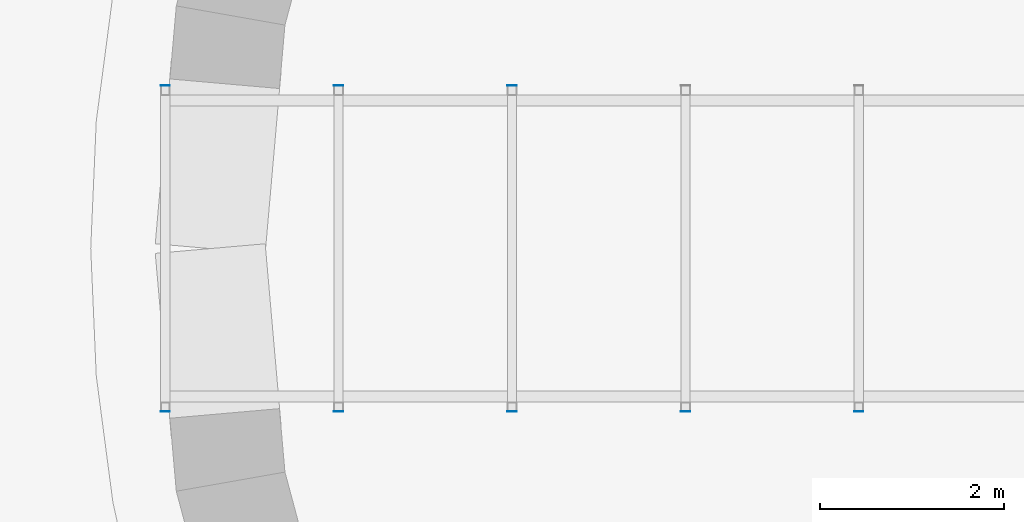
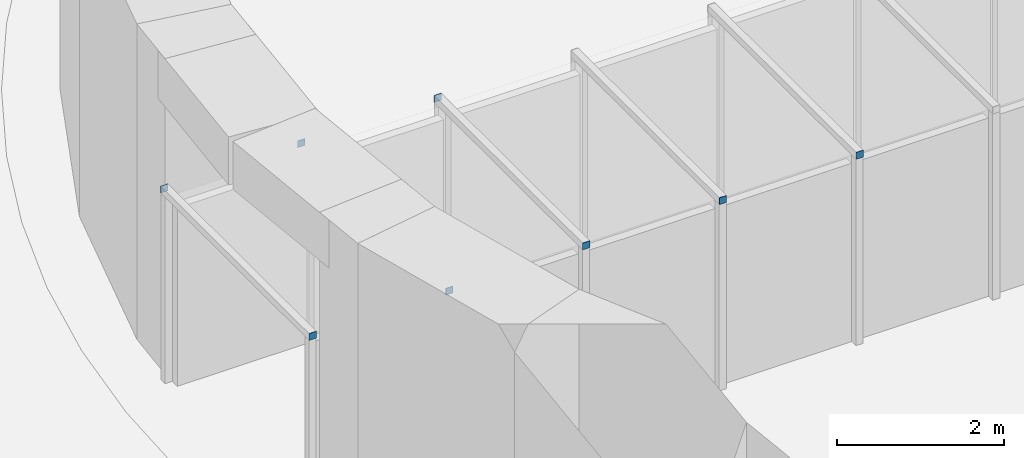
# One storey, part 38 of 85: 8 plates, 1 element without a shape of its own.
"""IFC4 building model written with IfcOpenShell, lengths in metres."""

from ifc_helpers import new_model, si_unit, direction, frame, origin, origin_2d, place, context, subcontext, project, spatial, rectangle, extrude, material, layer, layer_set, type_object, element, aggregate, save


model = new_model("IFC4")

# Units and contexts
model_context = context("Model", 3, precision=1e-05, world=origin(), true_north=direction((0.0, 1.0)))
body_context = subcontext(model_context, "Body", "Model", "MODEL_VIEW")
ifc_project = project(units=[si_unit("LENGTHUNIT", "METRE"), si_unit("AREAUNIT", "SQUARE_METRE"), si_unit("VOLUMEUNIT", "CUBIC_METRE"), si_unit("PLANEANGLEUNIT", "RADIAN"), si_unit("MASSUNIT", "GRAM", prefix="KILO")], contexts=[model_context])

# Site, building, storey
site_placement = place(None, origin())
site = spatial("IfcSite", under=ifc_project, at=site_placement, CompositionType="ELEMENT")
building_placement = place(site_placement, origin())
building = spatial("IfcBuilding", under=site, at=building_placement, Name="Volute Hill Aquarium", CompositionType="ELEMENT")
storey_placement = place(building_placement, origin())
storey = spatial("IfcBuildingStorey", under=building, at=storey_placement, Name="L01", CompositionType="ELEMENT", Elevation=0.0)

# Curtain wall, plates
ifc_material_1 = material(Name="Acrylic PMMA")
curtain_wall_type = type_object("IfcCurtainWallType", Name="Viewing tunnel acrylic assembly", PredefinedType="NOTDEFINED", material=ifc_material_1)
curtain_wall_placement = place(storey_placement, origin())
curtain_wall = element("IfcCurtainWall", 1, at=curtain_wall_placement, inside=storey, type_object=curtain_wall_type, Name="Viewing tunnel acrylic assembly", PredefinedType="NOTDEFINED")
ifc_material_2 = material(Name="Steel S355", Category="steel")
ifc_layer = layer(ifc_material_2, 0.006103515625)
ifc_layer_set = layer_set([ifc_layer], Name="Tunnel frame end plate 6 S355")
plate_type = type_object("IfcPlateType", Name="Tunnel frame end plate 6 S355", PredefinedType="SHEET", material=ifc_layer_set)
plate_1_placement = place(storey_placement, frame((-15.090087890625, -1.77294921875, 2.719970703125), z_axis=(0.0, 0.0, 1.0), x_axis=(1.0, 0.0, 0.0)))
plate_1 = element("IfcPlate", 2, at=plate_1_placement, type_object=plate_type, Name="Tunnel frame end plate 1A", PredefinedType="SHEET", context=body_context, shape_type="SweptSolid", body=[
    extrude(rectangle(XDim=0.10009765625, YDim=0.006103515625, at=origin_2d()), origin(), (0.0, 0.0, 1.0), 0.10009765625),
])
plate_2_placement = place(storey_placement, frame((-15.090087890625, 1.77294921875, 2.719970703125), z_axis=(0.0, 0.0, 1.0), x_axis=(1.0, 0.0, 0.0)))
plate_2 = element("IfcPlate", 3, at=plate_2_placement, type_object=plate_type, Name="Tunnel frame end plate 1B", PredefinedType="SHEET", context=body_context, shape_type="SweptSolid", body=[
    extrude(rectangle(XDim=0.10009765625, YDim=0.006103515625, at=origin_2d()), origin(), (0.0, 0.0, 1.0), 0.10009765625),
])
plate_3_placement = place(storey_placement, frame((-13.203857421875, -1.77294921875, 2.719970703125), z_axis=(0.0, 0.0, 1.0), x_axis=(1.0, 0.0, 0.0)))
plate_3 = element("IfcPlate", 4, at=plate_3_placement, type_object=plate_type, Name="Tunnel frame end plate 2A", PredefinedType="SHEET", context=body_context, shape_type="SweptSolid", body=[
    extrude(rectangle(XDim=0.10009765625, YDim=0.006103515625, at=origin_2d()), origin(), (0.0, 0.0, 1.0), 0.10009765625),
])
plate_4_placement = place(storey_placement, frame((-13.203857421875, 1.77294921875, 2.719970703125), z_axis=(0.0, 0.0, 1.0), x_axis=(1.0, 0.0, 0.0)))
plate_4 = element("IfcPlate", 5, at=plate_4_placement, type_object=plate_type, Name="Tunnel frame end plate 2B", PredefinedType="SHEET", context=body_context, shape_type="SweptSolid", body=[
    extrude(rectangle(XDim=0.10009765625, YDim=0.006103515625, at=origin_2d()), origin(), (0.0, 0.0, 1.0), 0.10009765625),
])
plate_5_placement = place(storey_placement, frame((-11.3173828125, -1.77294921875, 2.719970703125), z_axis=(0.0, 0.0, 1.0), x_axis=(1.0, 0.0, 0.0)))
plate_5 = element("IfcPlate", 6, at=plate_5_placement, type_object=plate_type, Name="Tunnel frame end plate 3A", PredefinedType="SHEET", context=body_context, shape_type="SweptSolid", body=[
    extrude(rectangle(XDim=0.10009765625, YDim=0.006103515625, at=origin_2d()), origin(), (0.0, 0.0, 1.0), 0.10009765625),
])
plate_6_placement = place(storey_placement, frame((-11.3173828125, 1.77294921875, 2.719970703125), z_axis=(0.0, 0.0, 1.0), x_axis=(1.0, 0.0, 0.0)))
plate_6 = element("IfcPlate", 7, at=plate_6_placement, type_object=plate_type, Name="Tunnel frame end plate 3B", PredefinedType="SHEET", context=body_context, shape_type="SweptSolid", body=[
    extrude(rectangle(XDim=0.10009765625, YDim=0.006103515625, at=origin_2d()), origin(), (0.0, 0.0, 1.0), 0.10009765625),
])
plate_7_placement = place(storey_placement, frame((-9.43115234375, -1.77294921875, 2.719970703125), z_axis=(0.0, 0.0, 1.0), x_axis=(1.0, 0.0, 0.0)))
plate_7 = element("IfcPlate", 8, at=plate_7_placement, type_object=plate_type, Name="Tunnel frame end plate 4A", PredefinedType="SHEET", context=body_context, shape_type="SweptSolid", body=[
    extrude(rectangle(XDim=0.10009765625, YDim=0.006103515625, at=origin_2d()), origin(), (0.0, 0.0, 1.0), 0.10009765625),
])
plate_8_placement = place(storey_placement, frame((-7.544921875, -1.77294921875, 2.719970703125), z_axis=(0.0, 0.0, 1.0), x_axis=(1.0, 0.0, 0.0)))
plate_8 = element("IfcPlate", 9, at=plate_8_placement, type_object=plate_type, Name="Tunnel frame end plate 5A", PredefinedType="SHEET", context=body_context, shape_type="SweptSolid", body=[
    extrude(rectangle(XDim=0.10009765625, YDim=0.006103515625, at=origin_2d()), origin(), (0.0, 0.0, 1.0), 0.10009765625),
])
aggregate(curtain_wall, [plate_1, plate_2, plate_3, plate_4, plate_5, plate_6, plate_7, plate_8])

save(model, "model.ifc")
